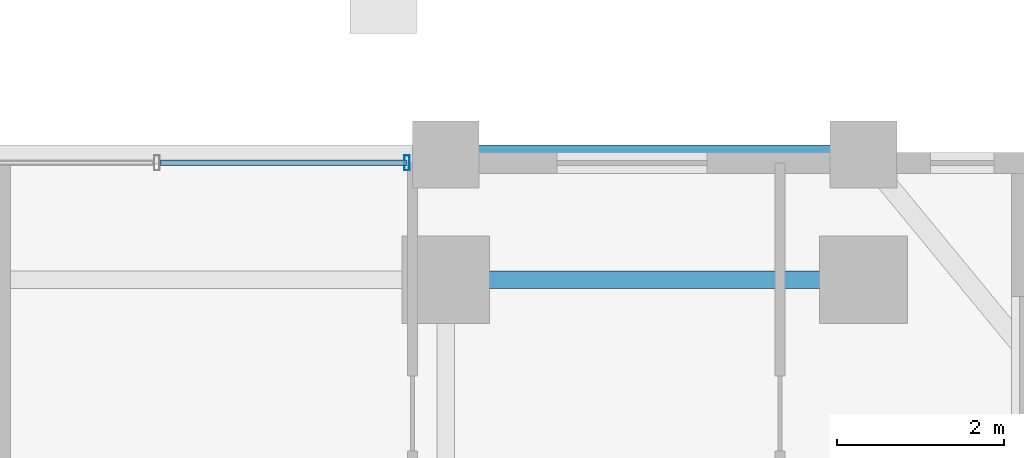
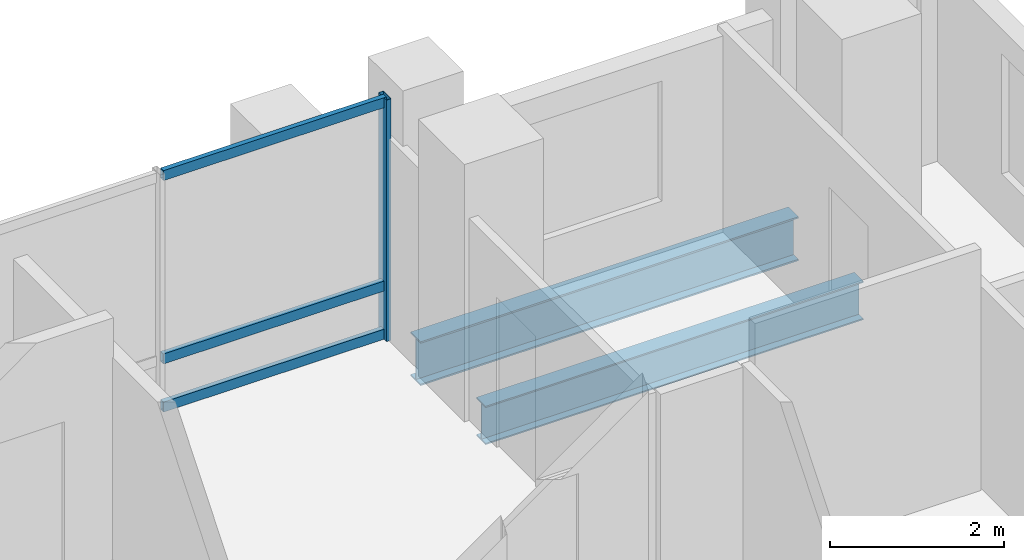
# One storey, part 16 of 24: 4 members, 2 beams, 1 element without a shape of its own.
"""IFC4 building model written with IfcOpenShell, lengths in metres."""

import ifcopenshell
import ifcopenshell.guid

model = None  # the IFC model being written
_history = None  # IfcOwnerHistory: only IFC2X3 demands one
_inside = {}  # id of a spatial element -> (the spatial element, [elements in it])
_under = {}  # id of a project, library or spatial element -> (it, [spatial elements below it])
_declared = {}  # id of a project -> (the project, [libraries it declares])
_typed = {}  # id of a type object -> (the type object, [elements of that type])
_made_of = {}  # id of a material, layer set ... -> (it, [elements and type objects made of it])


def new_model(schema):
    """Start an empty IFC model of exactly this schema.

    Asked for "IFC4X3", IfcOpenShell would pick the latest addendum, in which some entities
    have other attributes; the version numbers below select the first issue.
    IFC2X3 requires an IfcOwnerHistory on every rooted entity: one is made here for all.
    """
    global model, _history
    if schema == "IFC4X3":
        model = ifcopenshell.file(schema_version=(4, 3, 0, 0))
    else:
        model = ifcopenshell.file(schema=schema)
    _inside.clear()
    _under.clear()
    _declared.clear()
    _typed.clear()
    _made_of.clear()
    _history = None
    if model.schema == "IFC2X3":
        org = make("IfcOrganization", Name="unknown")
        user = make(
            "IfcPersonAndOrganization",
            ThePerson=make("IfcPerson", FamilyName="unknown"),
            TheOrganization=org,
        )
        app = make(
            "IfcApplication",
            ApplicationDeveloper=org,
            Version="unknown",
            ApplicationFullName="unknown",
            ApplicationIdentifier="unknown",
        )
        _history = make(
            "IfcOwnerHistory",
            OwningUser=user,
            OwningApplication=app,
            ChangeAction="ADDED",
            CreationDate=0,
        )
    return model


def make(cls, **values):
    """One entity of the class cls with the attributes given. An attribute that is None is left unset."""
    return model.create_entity(
        cls, **{name: value for name, value in values.items() if value is not None}
    )


def rooted(cls, **values):
    """An entity with a GlobalId (a new one), such as an element, a storey or a relation."""
    return make(cls, GlobalId=ifcopenshell.guid.new(), OwnerHistory=_history, **values)


def si_unit(unit_type, name, prefix=None):
    """IfcSIUnit, for example si_unit("LENGTHUNIT", "METRE", prefix="MILLI")."""
    return make("IfcSIUnit", UnitType=unit_type, Prefix=prefix, Name=name)


def assignment(units):
    """IfcUnitAssignment: the units of a project."""
    return None if units is None else make("IfcUnitAssignment", Units=units)


def point(xyz):
    """IfcCartesianPoint."""
    return None if xyz is None else make("IfcCartesianPoint", Coordinates=xyz)


def direction(xyz):
    """IfcDirection."""
    return None if xyz is None else make("IfcDirection", DirectionRatios=xyz)


def frame(location, z_axis=None, x_axis=None):
    """IfcAxis2Placement3D, a coordinate frame: its origin and axes. An axis left out is left unset."""
    return make(
        "IfcAxis2Placement3D",
        Location=point(location),
        Axis=direction(z_axis),
        RefDirection=direction(x_axis),
    )


def frame_2d(location, x_axis=None):
    """IfcAxis2Placement2D, a coordinate frame in the plane: its origin and x axis."""
    return make(
        "IfcAxis2Placement2D", Location=point(location), RefDirection=direction(x_axis)
    )


def origin():
    """The frame at (0, 0, 0) with its axes left unset."""
    return frame((0.0, 0.0, 0.0))


def origin_2d():
    """The frame at (0, 0) in the plane with its x axis left unset."""
    return frame_2d((0.0, 0.0))


def place(relative_to, where):
    """IfcLocalPlacement: puts the frame where relative to a parent placement (None: the world)."""
    return make(
        "IfcLocalPlacement", PlacementRelTo=relative_to, RelativePlacement=where
    )


def context(
    kind, dimensions, precision=None, world=None, true_north=None, identifier=None
):
    """IfcGeometricRepresentationContext, for example the 3D "Model" context."""
    return make(
        "IfcGeometricRepresentationContext",
        ContextIdentifier=identifier,
        ContextType=kind,
        CoordinateSpaceDimension=dimensions,
        Precision=precision,
        WorldCoordinateSystem=world,
        TrueNorth=true_north,
    )


def subcontext(parent, identifier, kind, view, scale=None):
    """IfcGeometricRepresentationSubContext, for example "Body" below "Model"."""
    return make(
        "IfcGeometricRepresentationSubContext",
        ContextIdentifier=identifier,
        ContextType=kind,
        ParentContext=parent,
        TargetScale=scale,
        TargetView=view,
    )


def project(units=None, contexts=None):
    """IfcProject with its units and contexts."""
    return rooted(
        "IfcProject",
        Name="project",
        RepresentationContexts=contexts,
        UnitsInContext=assignment(units),
    )


def spatial(cls, under=None, at=None, **own):
    """A site, building, storey or space (cls), placed at a placement, below another one or the project."""
    s = rooted(cls, ObjectPlacement=at, **own)
    if under is not None:
        _under.setdefault(under.id(), (under, []))[1].append(s)
    return s


def profile(cls, at=None, kind="AREA", **sizes):
    """A parametric profile (cls). Its sizes go by their IFC names, for example OverallWidth=200.0."""
    return make(cls, ProfileType=kind, Position=at, **sizes)


def hollow_rectangle(**sizes):
    """IfcRectangleHollowProfileDef."""
    return profile("IfcRectangleHollowProfileDef", **sizes)


def i_section(**sizes):
    """IfcIShapeProfileDef."""
    return profile("IfcIShapeProfileDef", **sizes)


def extrude(swept, where, along, depth):
    """IfcExtrudedAreaSolid: the profile swept, set in the frame where, extruded along a direction by depth."""
    return make(
        "IfcExtrudedAreaSolid",
        SweptArea=swept,
        Position=where,
        ExtrudedDirection=direction(along),
        Depth=depth,
    )


def shape(context_of_items, identifier, shape_type, items):
    """IfcShapeRepresentation: the items that make up one representation, for example the "Body"."""
    return make(
        "IfcShapeRepresentation",
        ContextOfItems=context_of_items,
        RepresentationIdentifier=identifier,
        RepresentationType=shape_type,
        Items=items,
    )


def material(Name=None, Category=None):
    """IfcMaterial."""
    return make("IfcMaterial", Name=Name, Category=Category)


def layer(
    of_material, thickness, ventilated=None, Name=None, Category=None, Priority=None
):
    """IfcMaterialLayer: one layer of a wall or slab, of a material (None: an air gap)."""
    return make(
        "IfcMaterialLayer",
        Material=of_material,
        LayerThickness=thickness,
        IsVentilated=ventilated,
        Name=Name,
        Category=Category,
        Priority=Priority,
    )


def layer_set(layers, Name=None):
    """IfcMaterialLayerSet."""
    return make("IfcMaterialLayerSet", MaterialLayers=layers, LayerSetName=Name)


def material_profile(
    of_material, cross_section, Name=None, Category=None, Priority=None
):
    """IfcMaterialProfile: a cross section and its material."""
    return make(
        "IfcMaterialProfile",
        Name=Name,
        Material=of_material,
        Profile=cross_section,
        Priority=Priority,
        Category=Category,
    )


def profile_set(profiles, Name=None, composite=None):
    """IfcMaterialProfileSet."""
    return make(
        "IfcMaterialProfileSet",
        Name=Name,
        MaterialProfiles=profiles,
        CompositeProfile=composite,
    )


def made_of(thing, what):
    """Note that an element or type object is made of a material, layer set ...; save() writes the relation."""
    if what is not None:
        _made_of.setdefault(what.id(), (what, []))[1].append(thing)
    return thing


def type_object(cls, material=None, **own):
    """A type object (cls), such as IfcWallType, which elements share."""
    return made_of(rooted(cls, **own), material)


def element(
    cls,
    number,
    at=None,
    inside=None,
    cuts=None,
    type_object=None,
    material=None,
    context=None,
    identifier="Body",
    shape_type=None,
    held_by="IfcProductDefinitionShape",
    body=None,
    shapes=None,
    **own,
):
    """One element of the class cls, such as IfcWall. Its Tag is "e" and its number.

    at: its placement. inside: the storey or other place that contains it. cuts: it is an
    opening in that element (IfcRelVoidsElement). A single representation is given by context,
    identifier, shape_type and body (its items); several are given by shapes. held_by: the class
    of the entity that holds the representations. save() writes the other relations.
    """
    e = rooted(cls, Tag="e%d" % number, ObjectPlacement=at, **own)
    if body is not None:
        shapes = [shape(context, identifier, shape_type, body)]
    if shapes is not None:
        e.Representation = make(held_by, Representations=shapes)
    if inside is not None:
        _inside.setdefault(inside.id(), (inside, []))[1].append(e)
    if cuts is not None:
        rooted(
            "IfcRelVoidsElement", RelatingBuildingElement=cuts, RelatedOpeningElement=e
        )
    if type_object is not None:
        _typed.setdefault(type_object.id(), (type_object, []))[1].append(e)
    return made_of(e, material)


def aggregate(whole, parts):
    """IfcRelAggregates: a whole, such as a stair, and the parts it consists of."""
    return rooted("IfcRelAggregates", RelatingObject=whole, RelatedObjects=parts)


def save(model, path):
    """Write the relations noted so far, then the file.

    IfcRelAggregates (storeys below a building ...), IfcRelContainedInSpatialStructure (elements
    in a storey), IfcRelDefinesByType, IfcRelAssociatesMaterial and IfcRelDeclares: one each for
    every whole, place, type object, material and project.
    """
    for whole, parts in _under.values():
        aggregate(whole, parts)
    for where, things in _inside.values():
        rooted(
            "IfcRelContainedInSpatialStructure",
            RelatedElements=things,
            RelatingStructure=where,
        )
    for kind, things in _typed.values():
        rooted("IfcRelDefinesByType", RelatedObjects=things, RelatingType=kind)
    for what, things in _made_of.values():
        rooted("IfcRelAssociatesMaterial", RelatedObjects=things, RelatingMaterial=what)
    for by, libraries in _declared.values():
        rooted("IfcRelDeclares", RelatingContext=by, RelatedDefinitions=libraries)
    model.write(path)


model = new_model("IFC4")

# Units and contexts
model_context = context("Model", 3, precision=1e-05, world=origin(), true_north=direction((0.0, 1.0)))
body_context = subcontext(model_context, "Body", "Model", "MODEL_VIEW")
ifc_project = project(units=[si_unit("LENGTHUNIT", "METRE"), si_unit("AREAUNIT", "SQUARE_METRE"), si_unit("VOLUMEUNIT", "CUBIC_METRE"), si_unit("PLANEANGLEUNIT", "RADIAN"), si_unit("MASSUNIT", "GRAM", prefix="KILO")], contexts=[model_context])

# Site, building, storey
site_placement = place(None, origin())
site = spatial("IfcSite", under=ifc_project, at=site_placement, CompositionType="ELEMENT")
building_placement = place(site_placement, origin())
building = spatial("IfcBuilding", under=site, at=building_placement, Name="Barlavira Tower and Art Museum", CompositionType="ELEMENT")
storey_placement = place(building_placement, frame((0.0, 0.0, 190.800048828125)))
storey = spatial("IfcBuildingStorey", under=building, at=storey_placement, Name="L49", CompositionType="ELEMENT", Elevation=190.800048828125)

# Curtain wall, members
ifc_material_1 = material(Name="Low-iron coastal laminated glass", Category="glass")
ifc_layer = layer(ifc_material_1, 0.199951171875, Name="Low-iron coastal laminated glass")
ifc_layer_set = layer_set([ifc_layer], Name="Low-iron coastal laminated glass")
curtain_wall_type = type_object("IfcCurtainWallType", Name="Pale-Metal Unitised Curtain Wall Zone 3", PredefinedType="NOTDEFINED", material=ifc_layer_set)
curtain_wall_placement = place(storey_placement, origin())
curtain_wall = element("IfcCurtainWall", 1, at=curtain_wall_placement, inside=storey, type_object=curtain_wall_type, Name="L49 Curtain Wall CW3-L49-N-B3", PredefinedType="NOTDEFINED")
ifc_material_2 = material(Name="Pale anodised aluminium", Category="aluminium")
ifc_material_profile_1 = material_profile(ifc_material_2, hollow_rectangle(XDim=0.06494140625, YDim=0.179931640625, WallThickness=0.00390625, at=origin_2d()), Name="ALU-MULL 65x180x4")
ifc_profile_set_1 = profile_set([ifc_material_profile_1], Name="Pale anodised aluminium")
member_type_1 = type_object("IfcMemberType", Name="Curtain Wall Pale-Metal Mullion 65x180", PredefinedType="MULLION", material=ifc_profile_set_1)
member_1_placement = place(storey_placement, frame((6.034912109375, 21.39990234375, 0.0), z_axis=(0.0, 0.0, 1.0), x_axis=(-1.0, 0.0, 0.0)))
member_1 = element("IfcMember", 2, at=member_1_placement, type_object=member_type_1, Name="CW3-L49-N-B3 Mullion 0", PredefinedType="MULLION", context=body_context, shape_type="SweptSolid", body=[
    extrude(hollow_rectangle(XDim=0.06494140625, YDim=0.179931640625, WallThickness=0.00390625, at=origin_2d()), origin(), (0.0, 0.0, 1.0), 3.3798828125),
])
ifc_material_profile_2 = material_profile(ifc_material_2, hollow_rectangle(XDim=0.06494140625, YDim=0.139892578125, WallThickness=0.00390625, at=origin_2d()), Name="ALU-TRAN 65x140x4")
ifc_profile_set_2 = profile_set([ifc_material_profile_2], Name="Pale anodised aluminium")
member_type_2 = type_object("IfcMemberType", Name="Curtain Wall Pale-Metal Transom 65x140", PredefinedType="USERDEFINED", material=ifc_profile_set_2)
member_2_placement = place(storey_placement, frame((6.034912109375, 21.39990234375, 0.070068359375), z_axis=(-1.0, 0.0, 0.0), x_axis=(0.0, -1.0, 0.0)))
member_2 = element("IfcMember", 3, at=member_2_placement, type_object=member_type_2, Name="CW3-L49-N-B3 Transom 0.1", ObjectType="TRANSOM", PredefinedType="USERDEFINED", context=body_context, shape_type="SweptSolid", body=[
    extrude(hollow_rectangle(XDim=0.06494140625, YDim=0.139892578125, WallThickness=0.00390625, at=origin_2d()), origin(), (0.0, 0.0, 1.0), 2.949951171875),
])
member_3_placement = place(storey_placement, frame((6.034912109375, 21.39990234375, 0.743896484375), z_axis=(-1.0, 0.0, 0.0), x_axis=(0.0, -1.0, 0.0)))
member_3 = element("IfcMember", 4, at=member_3_placement, type_object=member_type_2, Name="CW3-L49-N-B3 Transom 0.2", ObjectType="TRANSOM", PredefinedType="USERDEFINED", context=body_context, shape_type="SweptSolid", body=[
    extrude(hollow_rectangle(XDim=0.06494140625, YDim=0.139892578125, WallThickness=0.00390625, at=origin_2d()), origin(), (0.0, 0.0, 1.0), 2.949951171875),
])
member_4_placement = place(storey_placement, frame((6.034912109375, 21.39990234375, 3.31005859375), z_axis=(-1.0, 0.0, 0.0), x_axis=(0.0, -1.0, 0.0)))
member_4 = element("IfcMember", 5, at=member_4_placement, type_object=member_type_2, Name="CW3-L49-N-B3 Transom 0.3", ObjectType="TRANSOM", PredefinedType="USERDEFINED", context=body_context, shape_type="SweptSolid", body=[
    extrude(hollow_rectangle(XDim=0.06494140625, YDim=0.139892578125, WallThickness=0.00390625, at=origin_2d()), origin(), (0.0, 0.0, 1.0), 2.949951171875),
])
aggregate(curtain_wall, [member_1, member_2, member_3, member_4])

# Beams
ifc_material_3 = material(Name="Steel S355", Category="steel")
ifc_material_profile_3 = material_profile(ifc_material_3, i_section(OverallWidth=0.22998046875, OverallDepth=0.616943359375, WebThickness=0.01318359375, FlangeThickness=0.022216796875, at=origin_2d()), Name="W610x140.0")
ifc_profile_set_3 = profile_set([ifc_material_profile_3], Name="Steel S355")
beam_type_1 = type_object("IfcBeamType", Name="Upper Shaft Spandrel Edge Beam W610x140 Steel S355", PredefinedType="SPANDREL", material=ifc_profile_set_3)
beam_1_placement = place(storey_placement, frame((6.5, 21.5, -0.528564453125), z_axis=(1.0, 0.0, 0.0), x_axis=(0.0, 1.0, 0.0)))
element("IfcBeam", 6, at=beam_1_placement, inside=storey, type_object=beam_type_1, Name="L49 Spandrel 9", PredefinedType="SPANDREL", context=body_context, shape_type="SweptSolid", body=[
    extrude(i_section(OverallWidth=0.22998046875, OverallDepth=0.616943359375, WebThickness=0.01318359375, FlangeThickness=0.022216796875, at=origin_2d()), origin(), (0.0, 0.0, 1.0), 5.0),
])
ifc_material_profile_4 = material_profile(ifc_material_3, i_section(OverallWidth=0.2109375, OverallDepth=0.5390625, WebThickness=0.01171875, FlangeThickness=0.018798828125, at=origin_2d()), Name="W530x109.0")
ifc_profile_set_4 = profile_set([ifc_material_profile_4], Name="Steel S355")
beam_type_2 = type_object("IfcBeamType", Name="Zone 3-4 Primary Floor Girder W530x109 Steel S355", PredefinedType="BEAM", material=ifc_profile_set_4)
beam_2_placement = place(storey_placement, frame((6.5, 20.0, -0.489501953125), z_axis=(1.0, 0.0, 0.0), x_axis=(0.0, 1.0, 0.0)))
element("IfcBeam", 7, at=beam_2_placement, inside=storey, type_object=beam_type_2, Name="L49 Girder M-N3", PredefinedType="BEAM", context=body_context, shape_type="SweptSolid", body=[
    extrude(i_section(OverallWidth=0.2109375, OverallDepth=0.5390625, WebThickness=0.01171875, FlangeThickness=0.018798828125, at=origin_2d()), origin(), (0.0, 0.0, 1.0), 5.0),
])

save(model, "model.ifc")
